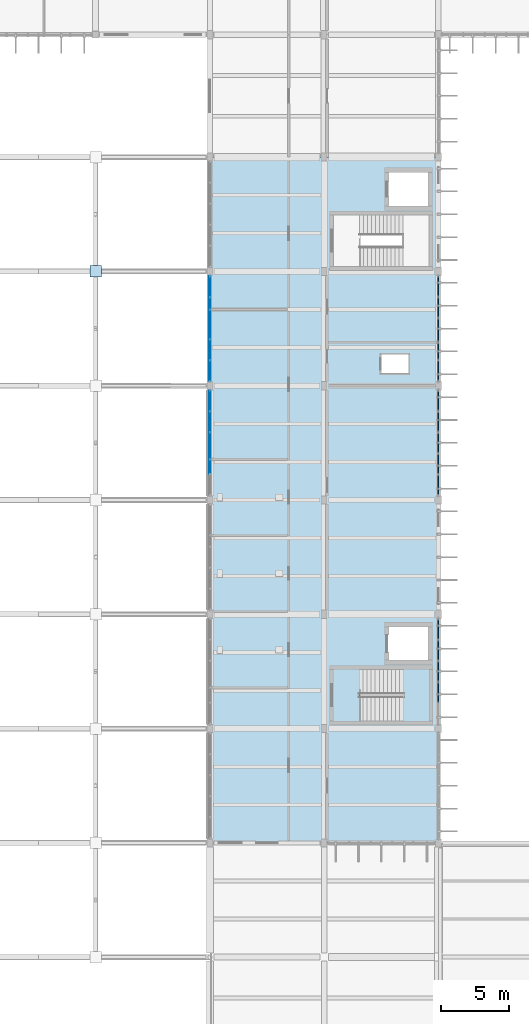
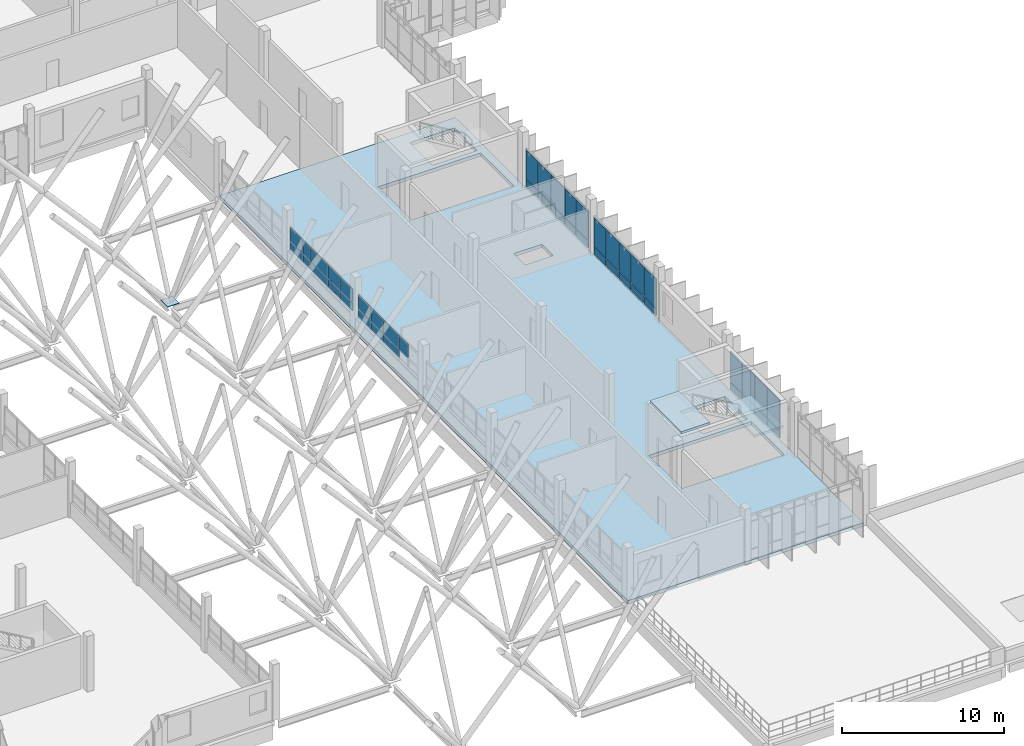
# One storey, part 76 of 107: 46 plates, 3 slabs, 5 openings, 6 elements without a shape of their own.
"""IFC4 building model written with IfcOpenShell, lengths in metres."""

from ifc_helpers import new_model, si_unit, direction, frame, origin, origin_2d, place, context, subcontext, project, spatial, polyline, rectangle, outline, extrude, material, layer, layer_set, type_object, element, aggregate, save


model = new_model("IFC4")

# Units and contexts
model_context = context("Model", 3, precision=1e-05, world=origin(), true_north=direction((0.0, 1.0)))
body_context = subcontext(model_context, "Body", "Model", "MODEL_VIEW")
ifc_project = project(units=[si_unit("LENGTHUNIT", "METRE"), si_unit("AREAUNIT", "SQUARE_METRE"), si_unit("VOLUMEUNIT", "CUBIC_METRE"), si_unit("PLANEANGLEUNIT", "RADIAN"), si_unit("MASSUNIT", "GRAM", prefix="KILO")], contexts=[model_context])

# Site, building, storey
site_placement = place(None, origin())
site = spatial("IfcSite", under=ifc_project, at=site_placement, CompositionType="ELEMENT")
building_placement = place(site_placement, origin())
building = spatial("IfcBuilding", under=site, at=building_placement, Name="Vireocrest Preparatory School", CompositionType="ELEMENT")
storey_placement = place(building_placement, frame((0.0, 0.0, 13.199951171875)))
storey = spatial("IfcBuildingStorey", under=building, at=storey_placement, Name="L03", CompositionType="ELEMENT", Elevation=13.199951171875)

# Curtain wall, plates
ifc_material_1 = material(Name="Thermally broken aluminium EN AW-6063-T6", Category="aluminium")
ifc_layer_1 = layer(ifc_material_1, 0.179931640625)
ifc_layer_set_1 = layer_set([ifc_layer_1], Name="Thermally broken aluminium EN AW-6063-T6")
curtain_wall_type_1 = type_object("IfcCurtainWallType", Name="Teaching Fin Curtain Wall 8400x4200", PredefinedType="USERDEFINED", material=ifc_layer_set_1)
curtain_wall_1_placement = place(storey_placement, origin())
curtain_wall_1 = element("IfcCurtainWall", 1, at=curtain_wall_1_placement, inside=storey, type_object=curtain_wall_type_1, Name="Curtain Wall CW03 CW_L03_CW03_1092_0441_132", ObjectType="CURTAIN WALL", PredefinedType="USERDEFINED")
ifc_material_2 = material(Name="Insulated triple low-e tempered safety glass", Category="glass")
ifc_layer_2 = layer(ifc_material_2, 0.074951171875)
ifc_layer_set_2 = layer_set([ifc_layer_2], Name="Insulated triple low-e tempered safety glass")
plate_type_1 = type_object("IfcPlateType", Name="Acoustic Triple-Glazed Lab Curtain Panel 75", PredefinedType="CURTAIN_PANEL", material=ifc_layer_set_2)
plate_1_placement = place(storey_placement, frame((109.199951171875, 46.4541015625, 0.12744140625), z_axis=(0.0, 0.0, 1.0), x_axis=(0.0, 1.0, 0.0)))
plate_1 = element("IfcPlate", 2, at=plate_1_placement, type_object=plate_type_1, Name="CW Panel GL2 CW_L03_CW03_1092_0441_132-2-1", PredefinedType="CURTAIN_PANEL", context=body_context, shape_type="SweptSolid", body=[
    extrude(rectangle(XDim=1.48095703125, YDim=0.074951171875, at=origin_2d()), origin(), (0.0, 0.0, 1.0), 0.5400390625),
])
plate_2_placement = place(storey_placement, frame((109.199951171875, 46.4541015625, 0.732666015625), z_axis=(0.0, 0.0, 1.0), x_axis=(0.0, 1.0, 0.0)))
plate_2 = element("IfcPlate", 3, at=plate_2_placement, type_object=plate_type_1, Name="CW Panel GL2 CW_L03_CW03_1092_0441_132-2-2", PredefinedType="CURTAIN_PANEL", context=body_context, shape_type="SweptSolid", body=[
    extrude(rectangle(XDim=1.48095703125, YDim=0.074951171875, at=origin_2d()), origin(), (0.0, 0.0, 1.0), 2.25),
])
plate_3_placement = place(storey_placement, frame((109.199951171875, 48.0, 0.12744140625), z_axis=(0.0, 0.0, 1.0), x_axis=(0.0, 1.0, 0.0)))
plate_3 = element("IfcPlate", 4, at=plate_3_placement, type_object=plate_type_1, Name="CW Panel GL2 CW_L03_CW03_1092_0441_132-3-1", PredefinedType="CURTAIN_PANEL", context=body_context, shape_type="SweptSolid", body=[
    extrude(rectangle(XDim=1.48095703125, YDim=0.074951171875, at=origin_2d()), origin(), (0.0, 0.0, 1.0), 0.5400390625),
])
plate_4_placement = place(storey_placement, frame((109.199951171875, 48.0, 0.732666015625), z_axis=(0.0, 0.0, 1.0), x_axis=(0.0, 1.0, 0.0)))
plate_4 = element("IfcPlate", 5, at=plate_4_placement, type_object=plate_type_1, Name="CW Panel GL2 CW_L03_CW03_1092_0441_132-3-2", PredefinedType="CURTAIN_PANEL", context=body_context, shape_type="SweptSolid", body=[
    extrude(rectangle(XDim=1.48095703125, YDim=0.074951171875, at=origin_2d()), origin(), (0.0, 0.0, 1.0), 2.25),
])
plate_5_placement = place(storey_placement, frame((109.199951171875, 49.5458984375, 0.12744140625), z_axis=(0.0, 0.0, 1.0), x_axis=(0.0, 1.0, 0.0)))
plate_5 = element("IfcPlate", 6, at=plate_5_placement, type_object=plate_type_1, Name="CW Panel GL2 CW_L03_CW03_1092_0441_132-4-1", PredefinedType="CURTAIN_PANEL", context=body_context, shape_type="SweptSolid", body=[
    extrude(rectangle(XDim=1.48095703125, YDim=0.074951171875, at=origin_2d()), origin(), (0.0, 0.0, 1.0), 0.5400390625),
])
plate_6_placement = place(storey_placement, frame((109.199951171875, 49.5458984375, 0.732666015625), z_axis=(0.0, 0.0, 1.0), x_axis=(0.0, 1.0, 0.0)))
plate_6 = element("IfcPlate", 7, at=plate_6_placement, type_object=plate_type_1, Name="CW Panel GL2 CW_L03_CW03_1092_0441_132-4-2", PredefinedType="CURTAIN_PANEL", context=body_context, shape_type="SweptSolid", body=[
    extrude(rectangle(XDim=1.48095703125, YDim=0.074951171875, at=origin_2d()), origin(), (0.0, 0.0, 1.0), 2.25),
])
plate_7_placement = place(storey_placement, frame((109.199951171875, 51.092041015625, 0.12744140625), z_axis=(0.0, 0.0, 1.0), x_axis=(0.0, 1.0, 0.0)))
plate_7 = element("IfcPlate", 8, at=plate_7_placement, type_object=plate_type_1, Name="CW Panel GL2 CW_L03_CW03_1092_0441_132-5-1", PredefinedType="CURTAIN_PANEL", context=body_context, shape_type="SweptSolid", body=[
    extrude(rectangle(XDim=1.48095703125, YDim=0.074951171875, at=origin_2d()), origin(), (0.0, 0.0, 1.0), 0.5400390625),
])
plate_8_placement = place(storey_placement, frame((109.199951171875, 51.092041015625, 0.732666015625), z_axis=(0.0, 0.0, 1.0), x_axis=(0.0, 1.0, 0.0)))
plate_8 = element("IfcPlate", 9, at=plate_8_placement, type_object=plate_type_1, Name="CW Panel GL2 CW_L03_CW03_1092_0441_132-5-2", PredefinedType="CURTAIN_PANEL", context=body_context, shape_type="SweptSolid", body=[
    extrude(rectangle(XDim=1.48095703125, YDim=0.074951171875, at=origin_2d()), origin(), (0.0, 0.0, 1.0), 2.25),
])
aggregate(curtain_wall_1, [plate_1, plate_2, plate_3, plate_4, plate_5, plate_6, plate_7, plate_8])

curtain_wall_2_placement = place(storey_placement, origin())
curtain_wall_2 = element("IfcCurtainWall", 10, at=curtain_wall_2_placement, inside=storey, type_object=curtain_wall_type_1, Name="Curtain Wall CW03 CW_L03_CW03_1092_0609_132", ObjectType="CURTAIN WALL", PredefinedType="USERDEFINED")
plate_9_placement = place(storey_placement, frame((109.199951171875, 61.7080078125, 0.12744140625), z_axis=(0.0, 0.0, 1.0), x_axis=(0.0, 1.0, 0.0)))
plate_9 = element("IfcPlate", 11, at=plate_9_placement, type_object=plate_type_1, Name="CW Panel GL2 CW_L03_CW03_1092_0609_132-1-1", PredefinedType="CURTAIN_PANEL", context=body_context, shape_type="SweptSolid", body=[
    extrude(rectangle(XDim=1.48095703125, YDim=0.074951171875, at=origin_2d()), origin(), (0.0, 0.0, 1.0), 0.5400390625),
])
plate_10_placement = place(storey_placement, frame((109.199951171875, 61.7080078125, 0.732666015625), z_axis=(0.0, 0.0, 1.0), x_axis=(0.0, 1.0, 0.0)))
plate_10 = element("IfcPlate", 12, at=plate_10_placement, type_object=plate_type_1, Name="CW Panel GL2 CW_L03_CW03_1092_0609_132-1-2", PredefinedType="CURTAIN_PANEL", context=body_context, shape_type="SweptSolid", body=[
    extrude(rectangle(XDim=1.48095703125, YDim=0.074951171875, at=origin_2d()), origin(), (0.0, 0.0, 1.0), 2.14990234375),
])
plate_11_placement = place(storey_placement, frame((109.199951171875, 63.25390625, 0.12744140625), z_axis=(0.0, 0.0, 1.0), x_axis=(0.0, 1.0, 0.0)))
plate_11 = element("IfcPlate", 13, at=plate_11_placement, type_object=plate_type_1, Name="CW Panel GL2 CW_L03_CW03_1092_0609_132-2-1", PredefinedType="CURTAIN_PANEL", context=body_context, shape_type="SweptSolid", body=[
    extrude(rectangle(XDim=1.48095703125, YDim=0.074951171875, at=origin_2d()), origin(), (0.0, 0.0, 1.0), 0.5400390625),
])
plate_12_placement = place(storey_placement, frame((109.199951171875, 63.25390625, 0.732666015625), z_axis=(0.0, 0.0, 1.0), x_axis=(0.0, 1.0, 0.0)))
plate_12 = element("IfcPlate", 14, at=plate_12_placement, type_object=plate_type_1, Name="CW Panel GL2 CW_L03_CW03_1092_0609_132-2-2", PredefinedType="CURTAIN_PANEL", context=body_context, shape_type="SweptSolid", body=[
    extrude(rectangle(XDim=1.48095703125, YDim=0.074951171875, at=origin_2d()), origin(), (0.0, 0.0, 1.0), 2.14990234375),
])
plate_13_placement = place(storey_placement, frame((109.199951171875, 64.800048828125, 0.12744140625), z_axis=(0.0, 0.0, 1.0), x_axis=(0.0, 1.0, 0.0)))
plate_13 = element("IfcPlate", 15, at=plate_13_placement, type_object=plate_type_1, Name="CW Panel GL2 CW_L03_CW03_1092_0609_132-3-1", PredefinedType="CURTAIN_PANEL", context=body_context, shape_type="SweptSolid", body=[
    extrude(rectangle(XDim=1.48095703125, YDim=0.074951171875, at=origin_2d()), origin(), (0.0, 0.0, 1.0), 0.5400390625),
])
plate_14_placement = place(storey_placement, frame((109.199951171875, 64.800048828125, 0.732666015625), z_axis=(0.0, 0.0, 1.0), x_axis=(0.0, 1.0, 0.0)))
plate_14 = element("IfcPlate", 16, at=plate_14_placement, type_object=plate_type_1, Name="CW Panel GL2 CW_L03_CW03_1092_0609_132-3-2", PredefinedType="CURTAIN_PANEL", context=body_context, shape_type="SweptSolid", body=[
    extrude(rectangle(XDim=1.48095703125, YDim=0.074951171875, at=origin_2d()), origin(), (0.0, 0.0, 1.0), 2.14990234375),
])
plate_15_placement = place(storey_placement, frame((109.199951171875, 66.345947265625, 0.12744140625), z_axis=(0.0, 0.0, 1.0), x_axis=(0.0, 1.0, 0.0)))
plate_15 = element("IfcPlate", 17, at=plate_15_placement, type_object=plate_type_1, Name="CW Panel GL2 CW_L03_CW03_1092_0609_132-4-1", PredefinedType="CURTAIN_PANEL", context=body_context, shape_type="SweptSolid", body=[
    extrude(rectangle(XDim=1.48095703125, YDim=0.074951171875, at=origin_2d()), origin(), (0.0, 0.0, 1.0), 0.5400390625),
])
plate_16_placement = place(storey_placement, frame((109.199951171875, 66.345947265625, 0.732666015625), z_axis=(0.0, 0.0, 1.0), x_axis=(0.0, 1.0, 0.0)))
plate_16 = element("IfcPlate", 18, at=plate_16_placement, type_object=plate_type_1, Name="CW Panel GL2 CW_L03_CW03_1092_0609_132-4-2", PredefinedType="CURTAIN_PANEL", context=body_context, shape_type="SweptSolid", body=[
    extrude(rectangle(XDim=1.48095703125, YDim=0.074951171875, at=origin_2d()), origin(), (0.0, 0.0, 1.0), 2.14990234375),
])
plate_17_placement = place(storey_placement, frame((109.199951171875, 67.89208984375, 0.12744140625), z_axis=(0.0, 0.0, 1.0), x_axis=(0.0, 1.0, 0.0)))
plate_17 = element("IfcPlate", 19, at=plate_17_placement, type_object=plate_type_1, Name="CW Panel GL2 CW_L03_CW03_1092_0609_132-5-1", PredefinedType="CURTAIN_PANEL", context=body_context, shape_type="SweptSolid", body=[
    extrude(rectangle(XDim=1.48095703125, YDim=0.074951171875, at=origin_2d()), origin(), (0.0, 0.0, 1.0), 0.5400390625),
])
plate_18_placement = place(storey_placement, frame((109.199951171875, 67.89208984375, 0.732666015625), z_axis=(0.0, 0.0, 1.0), x_axis=(0.0, 1.0, 0.0)))
plate_18 = element("IfcPlate", 20, at=plate_18_placement, type_object=plate_type_1, Name="CW Panel GL2 CW_L03_CW03_1092_0609_132-5-2", PredefinedType="CURTAIN_PANEL", context=body_context, shape_type="SweptSolid", body=[
    extrude(rectangle(XDim=1.48095703125, YDim=0.074951171875, at=origin_2d()), origin(), (0.0, 0.0, 1.0), 2.14990234375),
])
aggregate(curtain_wall_2, [plate_9, plate_10, plate_11, plate_12, plate_13, plate_14, plate_15, plate_16, plate_17, plate_18])

curtain_wall_3_placement = place(storey_placement, origin())
curtain_wall_3 = element("IfcCurtainWall", 21, at=curtain_wall_3_placement, inside=storey, type_object=curtain_wall_type_1, Name="Curtain Wall CW03 CW_L03_CW03_1092_0693_132", ObjectType="CURTAIN WALL", PredefinedType="USERDEFINED")
plate_19_placement = place(storey_placement, frame((109.199951171875, 70.10791015625, 0.12744140625), z_axis=(0.0, 0.0, 1.0), x_axis=(0.0, 1.0, 0.0)))
plate_19 = element("IfcPlate", 22, at=plate_19_placement, type_object=plate_type_1, Name="CW Panel GL2 CW_L03_CW03_1092_0693_132-1-1", PredefinedType="CURTAIN_PANEL", context=body_context, shape_type="SweptSolid", body=[
    extrude(rectangle(XDim=1.48095703125, YDim=0.074951171875, at=origin_2d()), origin(), (0.0, 0.0, 1.0), 0.5400390625),
])
plate_20_placement = place(storey_placement, frame((109.199951171875, 70.10791015625, 0.732666015625), z_axis=(0.0, 0.0, 1.0), x_axis=(0.0, 1.0, 0.0)))
plate_20 = element("IfcPlate", 23, at=plate_20_placement, type_object=plate_type_1, Name="CW Panel GL2 CW_L03_CW03_1092_0693_132-1-2", PredefinedType="CURTAIN_PANEL", context=body_context, shape_type="SweptSolid", body=[
    extrude(rectangle(XDim=1.48095703125, YDim=0.074951171875, at=origin_2d()), origin(), (0.0, 0.0, 1.0), 2.14990234375),
])
plate_21_placement = place(storey_placement, frame((109.199951171875, 71.54052734375, 0.12744140625), z_axis=(0.0, 0.0, 1.0), x_axis=(0.0, 1.0, 0.0)))
plate_21 = element("IfcPlate", 24, at=plate_21_placement, type_object=plate_type_1, Name="CW Panel GL2 CW_L03_CW03_1092_0693_132-2-1", PredefinedType="CURTAIN_PANEL", context=body_context, shape_type="SweptSolid", body=[
    extrude(rectangle(XDim=1.25390625, YDim=0.074951171875, at=origin_2d()), origin(), (0.0, 0.0, 1.0), 0.5400390625),
])
plate_22_placement = place(storey_placement, frame((109.199951171875, 71.54052734375, 0.732666015625), z_axis=(0.0, 0.0, 1.0), x_axis=(0.0, 1.0, 0.0)))
plate_22 = element("IfcPlate", 25, at=plate_22_placement, type_object=plate_type_1, Name="CW Panel GL2 CW_L03_CW03_1092_0693_132-2-2", PredefinedType="CURTAIN_PANEL", context=body_context, shape_type="SweptSolid", body=[
    extrude(rectangle(XDim=1.25390625, YDim=0.074951171875, at=origin_2d()), origin(), (0.0, 0.0, 1.0), 2.14990234375),
])
plate_23_placement = place(storey_placement, frame((109.199951171875, 73.08642578125, 0.12744140625), z_axis=(0.0, 0.0, 1.0), x_axis=(0.0, 1.0, 0.0)))
plate_23 = element("IfcPlate", 26, at=plate_23_placement, type_object=plate_type_1, Name="CW Panel GL2 CW_L03_CW03_1092_0693_132-3-1", PredefinedType="CURTAIN_PANEL", context=body_context, shape_type="SweptSolid", body=[
    extrude(rectangle(XDim=1.7080078125, YDim=0.074951171875, at=origin_2d()), origin(), (0.0, 0.0, 1.0), 0.5400390625),
])
plate_24_placement = place(storey_placement, frame((109.199951171875, 73.08642578125, 0.732666015625), z_axis=(0.0, 0.0, 1.0), x_axis=(0.0, 1.0, 0.0)))
plate_24 = element("IfcPlate", 27, at=plate_24_placement, type_object=plate_type_1, Name="CW Panel GL2 CW_L03_CW03_1092_0693_132-3-2", PredefinedType="CURTAIN_PANEL", context=body_context, shape_type="SweptSolid", body=[
    extrude(rectangle(XDim=1.7080078125, YDim=0.074951171875, at=origin_2d()), origin(), (0.0, 0.0, 1.0), 2.14990234375),
])
plate_25_placement = place(storey_placement, frame((109.199951171875, 74.74609375, 0.12744140625), z_axis=(0.0, 0.0, 1.0), x_axis=(0.0, 1.0, 0.0)))
plate_25 = element("IfcPlate", 28, at=plate_25_placement, type_object=plate_type_1, Name="CW Panel GL2 CW_L03_CW03_1092_0693_132-4-1", PredefinedType="CURTAIN_PANEL", context=body_context, shape_type="SweptSolid", body=[
    extrude(rectangle(XDim=1.48095703125, YDim=0.074951171875, at=origin_2d()), origin(), (0.0, 0.0, 1.0), 0.5400390625),
])
plate_26_placement = place(storey_placement, frame((109.199951171875, 74.74609375, 0.732666015625), z_axis=(0.0, 0.0, 1.0), x_axis=(0.0, 1.0, 0.0)))
plate_26 = element("IfcPlate", 29, at=plate_26_placement, type_object=plate_type_1, Name="CW Panel GL2 CW_L03_CW03_1092_0693_132-4-2", PredefinedType="CURTAIN_PANEL", context=body_context, shape_type="SweptSolid", body=[
    extrude(rectangle(XDim=1.48095703125, YDim=0.074951171875, at=origin_2d()), origin(), (0.0, 0.0, 1.0), 2.14990234375),
])
plate_27_placement = place(storey_placement, frame((109.199951171875, 76.2919921875, 0.12744140625), z_axis=(0.0, 0.0, 1.0), x_axis=(0.0, 1.0, 0.0)))
plate_27 = element("IfcPlate", 30, at=plate_27_placement, type_object=plate_type_1, Name="CW Panel GL2 CW_L03_CW03_1092_0693_132-5-1", PredefinedType="CURTAIN_PANEL", context=body_context, shape_type="SweptSolid", body=[
    extrude(rectangle(XDim=1.48095703125, YDim=0.074951171875, at=origin_2d()), origin(), (0.0, 0.0, 1.0), 0.5400390625),
])
plate_28_placement = place(storey_placement, frame((109.199951171875, 76.2919921875, 0.732666015625), z_axis=(0.0, 0.0, 1.0), x_axis=(0.0, 1.0, 0.0)))
plate_28 = element("IfcPlate", 31, at=plate_28_placement, type_object=plate_type_1, Name="CW Panel GL2 CW_L03_CW03_1092_0693_132-5-2", PredefinedType="CURTAIN_PANEL", context=body_context, shape_type="SweptSolid", body=[
    extrude(rectangle(XDim=1.48095703125, YDim=0.074951171875, at=origin_2d()), origin(), (0.0, 0.0, 1.0), 2.14990234375),
])
aggregate(curtain_wall_3, [plate_19, plate_20, plate_21, plate_22, plate_23, plate_24, plate_25, plate_26, plate_27, plate_28])

# Stair, slabs
ifc_material_3 = material(Name="Concrete 40 MPa", Category="concrete")
stair_type = type_object("IfcStairType", Name="Feature Library Stair 4200 Rise 1800 Wide", PredefinedType="HALF_TURN_STAIR", material=ifc_material_3)
stair_placement = place(storey_placement, origin())
stair = element("IfcStair", 32, at=stair_placement, inside=storey, type_object=stair_type, Name="Two-Run Stair ST2-L03", PredefinedType="HALF_TURN_STAIR")
ifc_layer_3 = layer(ifc_material_3, 0.179931640625)
ifc_layer_set_3 = layer_set([ifc_layer_3], Name="Concrete 40 MPa")
slab_type_1 = type_object("IfcSlabType", Name="Precast Concrete Stair Landing Slab 180", PredefinedType="LANDING", material=ifc_layer_set_3)
slab_1_placement = place(storey_placement, frame((0.0, 0.0, 1.920166015625)))
slab_1 = element("IfcSlab", 33, at=slab_1_placement, type_object=slab_type_1, Name="Stair Half-Landing ST2-L03", PredefinedType="LANDING", context=body_context, shape_type="SweptSolid", body=[
    extrude(outline(polyline([(106.590087890625, 44.31005859375), (108.64501953125, 44.31005859375), (108.64501953125, 48.18994140625), (106.590087890625, 48.18994140625), (106.590087890625, 44.31005859375)])), origin(), (0.0, 0.0, 1.0), 0.179931640625),
])
slab_2_placement = place(storey_placement, frame((0.0, 0.0, 4.02001953125)))
slab_2 = element("IfcSlab", 34, at=slab_2_placement, type_object=slab_type_1, Name="Stair Arrival Landing ST2-L03", PredefinedType="LANDING", context=body_context, shape_type="SweptSolid", body=[
    extrude(outline(polyline([(101.35498046875, 44.31005859375), (103.409912109375, 44.31005859375), (103.409912109375, 48.18994140625), (101.35498046875, 48.18994140625), (101.35498046875, 44.31005859375)])), origin(), (0.0, 0.0, 1.0), 0.179931640625),
])
aggregate(stair, [slab_1, slab_2])

# Slab, openings
ifc_layer_4 = layer(ifc_material_3, 0.260009765625)
ifc_layer_set_4 = layer_set([ifc_layer_4], Name="Concrete 40 MPa")
slab_type_2 = type_object("IfcSlabType", Name="Science Laboratory Low-Vibration RC Slab 260", PredefinedType="FLOOR", material=ifc_layer_set_4)
slab_3_placement = place(storey_placement, frame((0.0, 0.0, -0.260009765625)))
slab_3 = element("IfcSlab", 35, at=slab_3_placement, inside=storey, type_object=slab_type_2, Name="Slab L03_EAST_WING", PredefinedType="FLOOR", context=body_context, shape_type="SweptSolid", body=[
    extrude(outline(polyline([(92.39990234375, 35.39990234375), (109.199951171875, 35.39990234375), (109.199951171875, 85.800048828125), (92.39990234375, 85.800048828125), (92.39990234375, 35.39990234375)])), origin(), (0.0, 0.0, 1.0), 0.260009765625),
])
opening_1_placement = place(slab_3_placement, frame((0.0, 0.0, -0.010009765625)))
element("IfcOpeningElement", 36, at=opening_1_placement, cuts=slab_3, Name="Slab Opening SLAB_L03_EAST_WING-1", PredefinedType="OPENING", context=body_context, shape_type="SweptSolid", body=[
    extrude(outline(polyline([(101.35009765625, 44.199951171875), (108.64990234375, 44.199951171875), (108.64990234375, 48.300048828125), (101.35009765625, 48.300048828125), (101.35009765625, 44.199951171875)])), origin(), (0.0, 0.0, 1.0), 0.280029296875),
])
opening_2_placement = place(slab_3_placement, frame((0.0, 0.0, -0.010009765625)))
element("IfcOpeningElement", 37, at=opening_2_placement, cuts=slab_3, Name="Slab Opening SLAB_L03_EAST_WING-2", PredefinedType="OPENING", context=body_context, shape_type="SweptSolid", body=[
    extrude(outline(polyline([(105.39990234375, 48.64990234375), (108.60009765625, 48.64990234375), (108.60009765625, 51.449951171875), (105.39990234375, 51.449951171875), (105.39990234375, 48.64990234375)])), origin(), (0.0, 0.0, 1.0), 0.280029296875),
])
opening_3_placement = place(slab_3_placement, frame((0.0, 0.0, -0.010009765625)))
element("IfcOpeningElement", 38, at=opening_3_placement, cuts=slab_3, Name="Slab Opening SLAB_L03_EAST_WING-3", PredefinedType="OPENING", context=body_context, shape_type="SweptSolid", body=[
    extrude(outline(polyline([(101.35009765625, 77.60009765625), (108.64990234375, 77.60009765625), (108.64990234375, 81.699951171875), (101.35009765625, 81.699951171875), (101.35009765625, 77.60009765625)])), origin(), (0.0, 0.0, 1.0), 0.280029296875),
])
opening_4_placement = place(slab_3_placement, frame((0.0, 0.0, -0.010009765625)))
element("IfcOpeningElement", 39, at=opening_4_placement, cuts=slab_3, Name="Slab Opening SLAB_L03_EAST_WING-4", PredefinedType="OPENING", context=body_context, shape_type="SweptSolid", body=[
    extrude(outline(polyline([(105.39990234375, 82.050048828125), (108.60009765625, 82.050048828125), (108.60009765625, 84.85009765625), (105.39990234375, 84.85009765625), (105.39990234375, 82.050048828125)])), origin(), (0.0, 0.0, 1.0), 0.280029296875),
])
opening_5_placement = place(slab_3_placement, frame((0.0, 0.0, -0.010009765625)))
element("IfcOpeningElement", 40, at=opening_5_placement, cuts=slab_3, Name="Slab Opening SLAB_L03_EAST_WING-5", PredefinedType="OPENING", context=body_context, shape_type="SweptSolid", body=[
    extrude(outline(polyline([(105.0, 69.89990234375), (107.0, 69.89990234375), (107.0, 71.300048828125), (105.0, 71.300048828125), (105.0, 69.89990234375)])), origin(), (0.0, 0.0, 1.0), 0.280029296875),
])

# Curtain wall, plates
ifc_layer_5 = layer(ifc_material_1, 0.179931640625)
ifc_layer_set_5 = layer_set([ifc_layer_5], Name="Thermally broken aluminium EN AW-6063-T6")
curtain_wall_type_2 = type_object("IfcCurtainWallType", Name="Court Banded Curtain Wall 8400x3000", PredefinedType="USERDEFINED", material=ifc_layer_set_5)
curtain_wall_4_placement = place(storey_placement, origin())
curtain_wall_4 = element("IfcCurtainWall", 41, at=curtain_wall_4_placement, inside=storey, type_object=curtain_wall_type_2, Name="Curtain Wall CW02 CW_L03_CW02_0924_0609_144", ObjectType="CURTAIN WALL", PredefinedType="USERDEFINED")
ifc_layer_6 = layer(ifc_material_2, 0.06005859375)
ifc_layer_set_6 = layer_set([ifc_layer_6], Name="Insulated triple low-e tempered safety glass")
plate_type_2 = type_object("IfcPlateType", Name="Triple-Glazed Vision Curtain Panel 60", PredefinedType="CURTAIN_PANEL", material=ifc_layer_set_6)
plate_29_placement = place(storey_placement, frame((92.39990234375, 63.04052734375, 1.882568359375), z_axis=(0.0, 0.0, 1.0), x_axis=(0.0, 1.0, 0.0)))
plate_29 = element("IfcPlate", 42, at=plate_29_placement, type_object=plate_type_2, Name="CW Panel GL1 CW_L03_CW02_0924_0609_144-2-2", PredefinedType="CURTAIN_PANEL", context=body_context, shape_type="SweptSolid", body=[
    extrude(rectangle(XDim=1.053955078125, YDim=0.06005859375, at=origin_2d()), origin(), (0.0, 0.0, 1.0), 1.0),
])
plate_30_placement = place(storey_placement, frame((92.39990234375, 64.58642578125, 1.277587890625), z_axis=(0.0, 0.0, 1.0), x_axis=(0.0, 1.0, 0.0)))
plate_30 = element("IfcPlate", 43, at=plate_30_placement, type_object=plate_type_2, Name="CW Panel GL1 CW_L03_CW02_0924_0609_144-3-1", PredefinedType="CURTAIN_PANEL", context=body_context, shape_type="SweptSolid", body=[
    extrude(rectangle(XDim=1.907958984375, YDim=0.06005859375, at=origin_2d()), origin(), (0.0, 0.0, 1.0), 0.5400390625),
])
plate_31_placement = place(storey_placement, frame((92.39990234375, 64.58642578125, 1.882568359375), z_axis=(0.0, 0.0, 1.0), x_axis=(0.0, 1.0, 0.0)))
plate_31 = element("IfcPlate", 44, at=plate_31_placement, type_object=plate_type_2, Name="CW Panel GL1 CW_L03_CW02_0924_0609_144-3-2", PredefinedType="CURTAIN_PANEL", context=body_context, shape_type="SweptSolid", body=[
    extrude(rectangle(XDim=1.907958984375, YDim=0.06005859375, at=origin_2d()), origin(), (0.0, 0.0, 1.0), 1.0),
])
plate_32_placement = place(storey_placement, frame((92.39990234375, 66.345947265625, 1.277587890625), z_axis=(0.0, 0.0, 1.0), x_axis=(0.0, 1.0, 0.0)))
plate_32 = element("IfcPlate", 45, at=plate_32_placement, type_object=plate_type_2, Name="CW Panel GL1 CW_L03_CW02_0924_0609_144-4-1", PredefinedType="CURTAIN_PANEL", context=body_context, shape_type="SweptSolid", body=[
    extrude(rectangle(XDim=1.48095703125, YDim=0.06005859375, at=origin_2d()), origin(), (0.0, 0.0, 1.0), 0.5400390625),
])
plate_33_placement = place(storey_placement, frame((92.39990234375, 66.345947265625, 1.882568359375), z_axis=(0.0, 0.0, 1.0), x_axis=(0.0, 1.0, 0.0)))
plate_33 = element("IfcPlate", 46, at=plate_33_placement, type_object=plate_type_2, Name="CW Panel GL1 CW_L03_CW02_0924_0609_144-4-2", PredefinedType="CURTAIN_PANEL", context=body_context, shape_type="SweptSolid", body=[
    extrude(rectangle(XDim=1.48095703125, YDim=0.06005859375, at=origin_2d()), origin(), (0.0, 0.0, 1.0), 1.0),
])
plate_34_placement = place(storey_placement, frame((92.39990234375, 67.89208984375, 1.277587890625), z_axis=(0.0, 0.0, 1.0), x_axis=(0.0, 1.0, 0.0)))
plate_34 = element("IfcPlate", 47, at=plate_34_placement, type_object=plate_type_2, Name="CW Panel GL1 CW_L03_CW02_0924_0609_144-5-1", PredefinedType="CURTAIN_PANEL", context=body_context, shape_type="SweptSolid", body=[
    extrude(rectangle(XDim=1.48095703125, YDim=0.06005859375, at=origin_2d()), origin(), (0.0, 0.0, 1.0), 0.5400390625),
])
plate_35_placement = place(storey_placement, frame((92.39990234375, 67.89208984375, 1.882568359375), z_axis=(0.0, 0.0, 1.0), x_axis=(0.0, 1.0, 0.0)))
plate_35 = element("IfcPlate", 48, at=plate_35_placement, type_object=plate_type_2, Name="CW Panel GL1 CW_L03_CW02_0924_0609_144-5-2", PredefinedType="CURTAIN_PANEL", context=body_context, shape_type="SweptSolid", body=[
    extrude(rectangle(XDim=1.48095703125, YDim=0.06005859375, at=origin_2d()), origin(), (0.0, 0.0, 1.0), 1.0),
])
aggregate(curtain_wall_4, [plate_29, plate_30, plate_31, plate_32, plate_33, plate_34, plate_35])

curtain_wall_5_placement = place(storey_placement, origin())
curtain_wall_5 = element("IfcCurtainWall", 49, at=curtain_wall_5_placement, inside=storey, type_object=curtain_wall_type_2, Name="Curtain Wall CW02 CW_L03_CW02_0924_0693_144", ObjectType="CURTAIN WALL", PredefinedType="USERDEFINED")
plate_36_placement = place(storey_placement, frame((92.39990234375, 70.10791015625, 1.277587890625), z_axis=(0.0, 0.0, 1.0), x_axis=(0.0, 1.0, 0.0)))
plate_36 = element("IfcPlate", 50, at=plate_36_placement, type_object=plate_type_2, Name="CW Panel GL1 CW_L03_CW02_0924_0693_144-1-1", PredefinedType="CURTAIN_PANEL", context=body_context, shape_type="SweptSolid", body=[
    extrude(rectangle(XDim=1.48095703125, YDim=0.06005859375, at=origin_2d()), origin(), (0.0, 0.0, 1.0), 0.5400390625),
])
plate_37_placement = place(storey_placement, frame((92.39990234375, 70.10791015625, 1.882568359375), z_axis=(0.0, 0.0, 1.0), x_axis=(0.0, 1.0, 0.0)))
plate_37 = element("IfcPlate", 51, at=plate_37_placement, type_object=plate_type_2, Name="CW Panel GL1 CW_L03_CW02_0924_0693_144-1-2", PredefinedType="CURTAIN_PANEL", context=body_context, shape_type="SweptSolid", body=[
    extrude(rectangle(XDim=1.48095703125, YDim=0.06005859375, at=origin_2d()), origin(), (0.0, 0.0, 1.0), 1.0),
])
plate_38_placement = place(storey_placement, frame((92.39990234375, 71.654052734375, 1.277587890625), z_axis=(0.0, 0.0, 1.0), x_axis=(0.0, 1.0, 0.0)))
plate_38 = element("IfcPlate", 52, at=plate_38_placement, type_object=plate_type_2, Name="CW Panel GL1 CW_L03_CW02_0924_0693_144-2-1", PredefinedType="CURTAIN_PANEL", context=body_context, shape_type="SweptSolid", body=[
    extrude(rectangle(XDim=1.48095703125, YDim=0.06005859375, at=origin_2d()), origin(), (0.0, 0.0, 1.0), 0.5400390625),
])
plate_39_placement = place(storey_placement, frame((92.39990234375, 71.654052734375, 1.882568359375), z_axis=(0.0, 0.0, 1.0), x_axis=(0.0, 1.0, 0.0)))
plate_39 = element("IfcPlate", 53, at=plate_39_placement, type_object=plate_type_2, Name="CW Panel GL1 CW_L03_CW02_0924_0693_144-2-2", PredefinedType="CURTAIN_PANEL", context=body_context, shape_type="SweptSolid", body=[
    extrude(rectangle(XDim=1.48095703125, YDim=0.06005859375, at=origin_2d()), origin(), (0.0, 0.0, 1.0), 1.0),
])
plate_40_placement = place(storey_placement, frame((92.39990234375, 73.513427734375, 1.277587890625), z_axis=(0.0, 0.0, 1.0), x_axis=(0.0, 1.0, 0.0)))
plate_40 = element("IfcPlate", 54, at=plate_40_placement, type_object=plate_type_2, Name="CW Panel GL1 CW_L03_CW02_0924_0693_144-3-1", PredefinedType="CURTAIN_PANEL", context=body_context, shape_type="SweptSolid", body=[
    extrude(rectangle(XDim=2.10791015625, YDim=0.06005859375, at=origin_2d()), origin(), (0.0, 0.0, 1.0), 0.5400390625),
])
plate_41_placement = place(storey_placement, frame((92.39990234375, 73.513427734375, 1.882568359375), z_axis=(0.0, 0.0, 1.0), x_axis=(0.0, 1.0, 0.0)))
plate_41 = element("IfcPlate", 55, at=plate_41_placement, type_object=plate_type_2, Name="CW Panel GL1 CW_L03_CW02_0924_0693_144-3-2", PredefinedType="CURTAIN_PANEL", context=body_context, shape_type="SweptSolid", body=[
    extrude(rectangle(XDim=2.10791015625, YDim=0.06005859375, at=origin_2d()), origin(), (0.0, 0.0, 1.0), 1.0),
])
plate_42_placement = place(storey_placement, frame((92.39990234375, 75.0595703125, 1.277587890625), z_axis=(0.0, 0.0, 1.0), x_axis=(0.0, 1.0, 0.0)))
plate_42 = element("IfcPlate", 56, at=plate_42_placement, type_object=plate_type_2, Name="CW Panel GL1 CW_L03_CW02_0924_0693_144-4-1", PredefinedType="CURTAIN_PANEL", context=body_context, shape_type="SweptSolid", body=[
    extrude(rectangle(XDim=0.85400390625, YDim=0.06005859375, at=origin_2d()), origin(), (0.0, 0.0, 1.0), 0.5400390625),
])
plate_43_placement = place(storey_placement, frame((92.39990234375, 75.0595703125, 1.882568359375), z_axis=(0.0, 0.0, 1.0), x_axis=(0.0, 1.0, 0.0)))
plate_43 = element("IfcPlate", 57, at=plate_43_placement, type_object=plate_type_2, Name="CW Panel GL1 CW_L03_CW02_0924_0693_144-4-2", PredefinedType="CURTAIN_PANEL", context=body_context, shape_type="SweptSolid", body=[
    extrude(rectangle(XDim=0.85400390625, YDim=0.06005859375, at=origin_2d()), origin(), (0.0, 0.0, 1.0), 1.0),
])
plate_44_placement = place(storey_placement, frame((92.39990234375, 76.2919921875, 1.277587890625), z_axis=(0.0, 0.0, 1.0), x_axis=(0.0, 1.0, 0.0)))
plate_44 = element("IfcPlate", 58, at=plate_44_placement, type_object=plate_type_2, Name="CW Panel GL1 CW_L03_CW02_0924_0693_144-5-1", PredefinedType="CURTAIN_PANEL", context=body_context, shape_type="SweptSolid", body=[
    extrude(rectangle(XDim=1.48095703125, YDim=0.06005859375, at=origin_2d()), origin(), (0.0, 0.0, 1.0), 0.5400390625),
])
plate_45_placement = place(storey_placement, frame((92.39990234375, 76.2919921875, 1.882568359375), z_axis=(0.0, 0.0, 1.0), x_axis=(0.0, 1.0, 0.0)))
plate_45 = element("IfcPlate", 59, at=plate_45_placement, type_object=plate_type_2, Name="CW Panel GL1 CW_L03_CW02_0924_0693_144-5-2", PredefinedType="CURTAIN_PANEL", context=body_context, shape_type="SweptSolid", body=[
    extrude(rectangle(XDim=1.48095703125, YDim=0.06005859375, at=origin_2d()), origin(), (0.0, 0.0, 1.0), 1.0),
])
aggregate(curtain_wall_5, [plate_36, plate_37, plate_38, plate_39, plate_40, plate_41, plate_42, plate_43, plate_44, plate_45])

# Plate
ifc_material_4 = material(Name="Structural steel ASTM A572 Grade 50", Category="steel")
ifc_layer_7 = layer(ifc_material_4, 0.035888671875)
ifc_layer_set_7 = layer_set([ifc_layer_7], Name="Structural steel ASTM A572 Grade 50")
plate_type_3 = type_object("IfcPlateType", Name="V-Column Bolted Fork Steel Node Plate 36", PredefinedType="SHEET", material=ifc_layer_set_7)
plate_46_placement = place(storey_placement, frame((84.0, 77.39990234375, 0.0), z_axis=(0.0, 0.0, 1.0), x_axis=(1.0, 0.0, 0.0)))
element("IfcPlate", 60, at=plate_46_placement, inside=storey, type_object=plate_type_3, Name="Node VN1 V-Column Fork Plate E7", PredefinedType="SHEET", context=body_context, shape_type="SweptSolid", body=[
    extrude(rectangle(XDim=0.85009765625, YDim=0.85009765625, at=origin_2d()), origin(), (0.0, 0.0, 1.0), 0.035888671875),
])

save(model, "model.ifc")
